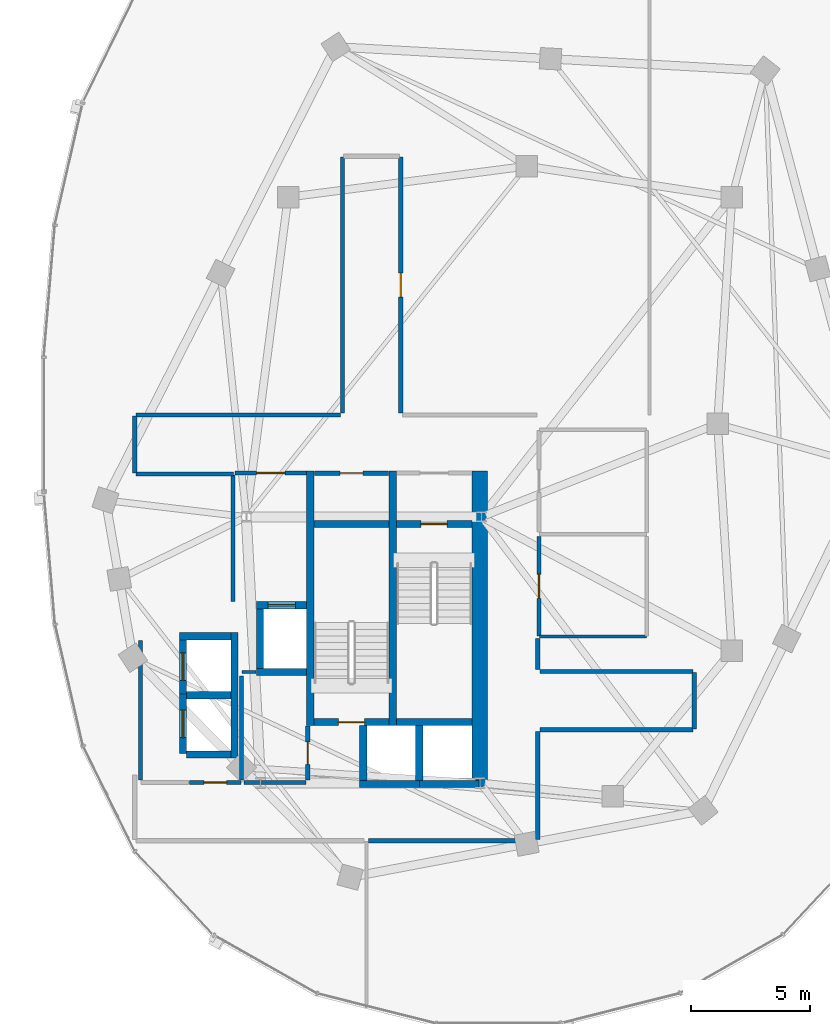
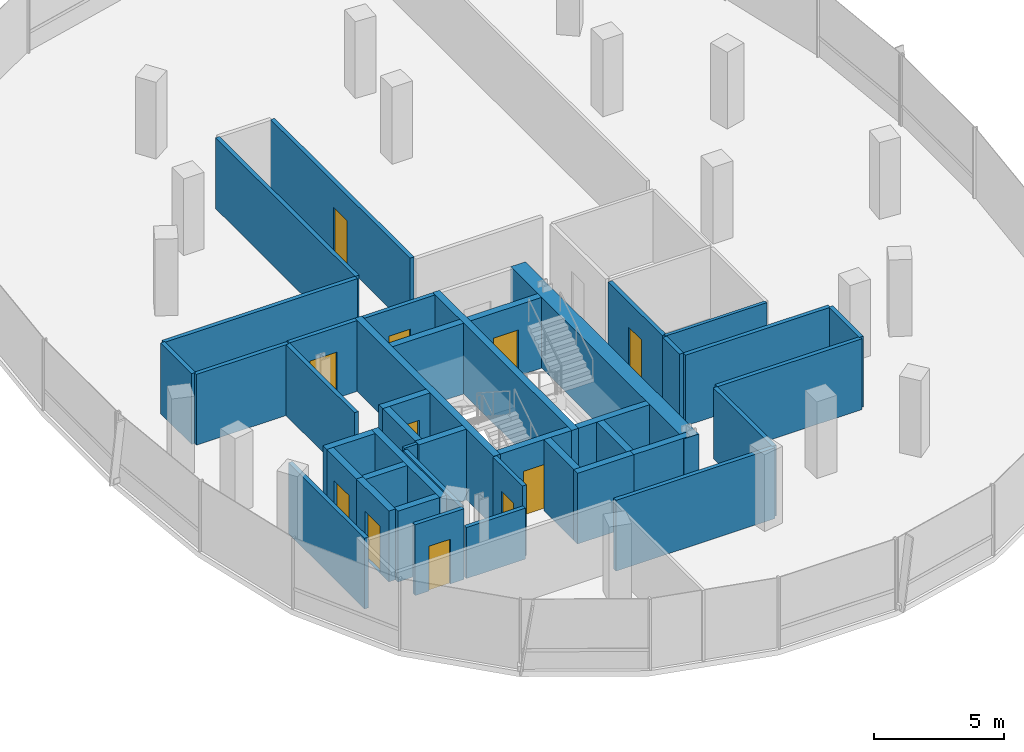
# One storey, part 16 of 24: 42 walls, 11 doors, 11 openings.
"""IFC4 building model written with IfcOpenShell, lengths in metres."""

from ifc_helpers import new_model, si_unit, direction, frame, frame_2d, origin, place, context, subcontext, project, spatial, rectangle, extrude, material, layer, layer_set, type_object, element, fill, save


model = new_model("IFC4")

# Units and contexts
model_context = context("Model", 3, precision=1e-05, world=origin(), true_north=direction((0.0, 1.0)))
body_context = subcontext(model_context, "Body", "Model", "MODEL_VIEW")
ifc_project = project(units=[si_unit("LENGTHUNIT", "METRE"), si_unit("AREAUNIT", "SQUARE_METRE"), si_unit("VOLUMEUNIT", "CUBIC_METRE"), si_unit("PLANEANGLEUNIT", "RADIAN"), si_unit("MASSUNIT", "GRAM", prefix="KILO"), si_unit("THERMODYNAMICTEMPERATUREUNIT", "KELVIN"), si_unit("POWERUNIT", "WATT")], contexts=[model_context])

# Site, building, storey
site_placement = place(None, origin())
site = spatial("IfcSite", under=ifc_project, at=site_placement, CompositionType="ELEMENT")
building_placement = place(site_placement, origin())
building = spatial("IfcBuilding", under=site, at=building_placement, Name="Cundina Bronze Exchange", CompositionType="ELEMENT")
storey_placement = place(building_placement, frame((0.0, 0.0, 231.39990234375)))
storey = spatial("IfcBuildingStorey", under=building, at=storey_placement, Name="L61", CompositionType="ELEMENT", Elevation=231.39990234375)

# Wall
ifc_material_1 = material(Name="Gypsum Fireboard Partition EI120")
ifc_layer_1 = layer(ifc_material_1, 0.179931640625, Name="Gypsum Fireboard Partition EI120")
ifc_layer_set_1 = layer_set([ifc_layer_1], Name="Gypsum Fireboard Partition EI120")
wall_type_1 = type_object("IfcWallType", Name="WL-COR-180", PredefinedType="PARTITIONING", material=ifc_layer_set_1)
wall_1_placement = place(storey_placement, frame((20.889892578125, -7.449951171875, 0.0), z_axis=(0.0, 0.0, 1.0), x_axis=(0.0, 1.0, 0.0)))
element("IfcWall", 1, at=wall_1_placement, inside=storey, type_object=wall_type_1, Name="L61 E Firefighting Lobby Side Wall", PredefinedType="PARTITIONING", context=body_context, shape_type="SweptSolid", body=[
    extrude(rectangle(XDim=5.300048828125, YDim=0.179931640625, at=frame_2d((2.64990234375, 0.0))), origin(), (0.0, 0.0, 1.0), 3.320068359375),
])

# Wall, opening, door
wall_2_placement = place(storey_placement, frame((20.97998046875, -2.06005859375, 0.0), z_axis=(0.0, 0.0, 1.0), x_axis=(1.0, 0.0, 0.0)))
wall_2 = element("IfcWall", 2, at=wall_2_placement, inside=storey, type_object=wall_type_1, Name="L61 E Firefighting Lobby Exit Wall", PredefinedType="PARTITIONING", context=body_context, shape_type="SweptSolid", body=[
    extrude(rectangle(XDim=3.0, YDim=0.179931640625, at=frame_2d((1.5, 0.0))), origin(), (0.0, 0.0, 1.0), 3.320068359375),
])
opening_1_placement = place(wall_2_placement, frame((0.89990234375, 0.0, 0.0)))
opening_1 = element("IfcOpeningElement", 3, at=opening_1_placement, cuts=wall_2, Name="Opening DF-01", PredefinedType="OPENING", context=body_context, shape_type="SweptSolid", body=[
    extrude(rectangle(XDim=1.199951171875, YDim=2.14990234375, at=frame_2d((0.60009765625, 1.074951171875))), frame((0.0, 0.099853515625, 0.0), z_axis=(0.0, -1.0, 0.0), x_axis=(1.0, 0.0, 0.0)), (0.0, 0.0, 1.0), 0.199951171875),
])
ifc_material_2 = material(Name="Steel ASTM A36 Painted", Category="steel")
door_type_1 = type_object("IfcDoorType", Name="DR-FFL-1200", OperationType="NOTDEFINED", PredefinedType="DOOR", material=ifc_material_2)
door_1_placement = place(opening_1_placement, origin())
door_1 = element("IfcDoor", 4, at=door_1_placement, inside=storey, type_object=door_type_1, Name="L61 E Firefighting Lobby Door", OperationType="SINGLE_SWING_LEFT", OverallHeight=2.14990234375, OverallWidth=1.199951171875, PredefinedType="DOOR", context=body_context, shape_type="SweptSolid", body=[
    extrude(rectangle(XDim=1.199951171875, YDim=2.14990234375, at=frame_2d((0.60009765625, 1.074951171875))), frame((0.0, 0.02490234375, 0.0), z_axis=(0.0, -1.0, 0.0), x_axis=(1.0, 0.0, 0.0)), (0.0, 0.0, 1.0), 0.050048828125),
])
fill(opening_1, door_1)

# Wall
wall_3_placement = place(storey_placement, frame((17.02001953125, -14.929931640625, 0.0), z_axis=(0.0, 0.0, 1.0), x_axis=(0.0, 1.0, 0.0)))
element("IfcWall", 5, at=wall_3_placement, inside=storey, type_object=wall_type_1, Name="L61 Interior Partition 017", PredefinedType="PARTITIONING", context=body_context, shape_type="SweptSolid", body=[
    extrude(rectangle(XDim=5.85986328125, YDim=0.179931640625, at=frame_2d((2.929931640625, 0.0))), origin(), (0.0, 0.0, 1.0), 3.320068359375),
])

# Wall, opening, door
wall_4_placement = place(storey_placement, frame((21.22998046875, -15.030029296875, 0.0), z_axis=(0.0, 0.0, 1.0), x_axis=(-1.0, 0.0, 0.0)))
wall_4 = element("IfcWall", 6, at=wall_4_placement, inside=storey, type_object=wall_type_1, Name="L61 Interior Partition 019", PredefinedType="PARTITIONING", context=body_context, shape_type="SweptSolid", body=[
    extrude(rectangle(XDim=2.159912109375, YDim=0.179931640625, at=frame_2d((1.080078125, 0.0))), origin(), (0.0, 0.0, 1.0), 3.320068359375),
])
opening_2_placement = place(wall_4_placement, frame((0.60498046875, 0.0, 0.0)))
opening_2 = element("IfcOpeningElement", 7, at=opening_2_placement, cuts=wall_4, Name="Opening DW-01", PredefinedType="OPENING", context=body_context, shape_type="SweptSolid", body=[
    extrude(rectangle(XDim=0.949951171875, YDim=2.10009765625, at=frame_2d((0.47509765625, 1.050048828125))), frame((0.0, 0.099853515625, 0.0), z_axis=(0.0, -1.0, 0.0), x_axis=(1.0, 0.0, 0.0)), (0.0, 0.0, 1.0), 0.199951171875),
])
ifc_material_3 = material(Name="Solid Andean Oak Timber Grade A", Category="wood")
door_type_2 = type_object("IfcDoorType", Name="DR-WC-950", OperationType="NOTDEFINED", PredefinedType="DOOR", material=ifc_material_3)
door_2_placement = place(opening_2_placement, origin())
door_2 = element("IfcDoor", 8, at=door_2_placement, inside=storey, type_object=door_type_2, Name="L61 Interior Door 019", OperationType="SINGLE_SWING_RIGHT", OverallHeight=2.10009765625, OverallWidth=0.949951171875, PredefinedType="DOOR", context=body_context, shape_type="SweptSolid", body=[
    extrude(rectangle(XDim=0.949951171875, YDim=2.10009765625, at=frame_2d((0.47509765625, 1.050048828125))), frame((0.0, 0.02490234375, 0.0), z_axis=(0.0, -1.0, 0.0), x_axis=(1.0, 0.0, 0.0)), (0.0, 0.0, 1.0), 0.050048828125),
])
fill(opening_2, door_2)

# Walls
wall_5_placement = place(storey_placement, frame((21.25, -14.929931640625, 0.0), z_axis=(0.0, 0.0, 1.0), x_axis=(0.0, 1.0, 0.0)))
element("IfcWall", 9, at=wall_5_placement, inside=storey, type_object=wall_type_1, Name="L61 Interior Partition 021", PredefinedType="PARTITIONING", context=body_context, shape_type="SweptSolid", body=[
    extrude(rectangle(XDim=4.35986328125, YDim=0.179931640625, at=frame_2d((2.179931640625, 0.0))), origin(), (0.0, 0.0, 1.0), 3.320068359375),
])
wall_6_placement = place(storey_placement, frame((21.35009765625, -15.030029296875, 0.0), z_axis=(0.0, 0.0, 1.0), x_axis=(1.0, 0.0, 0.0)))
element("IfcWall", 10, at=wall_6_placement, inside=storey, type_object=wall_type_1, Name="L61 Interior Partition 022", PredefinedType="PARTITIONING", context=body_context, shape_type="SweptSolid", body=[
    extrude(rectangle(XDim=2.60986328125, YDim=0.179931640625, at=frame_2d((1.304931640625, 0.0))), origin(), (0.0, 0.0, 1.0), 2.39306640625),
])

# Wall, opening, door
wall_7_placement = place(storey_placement, frame((24.300048828125, -2.070068359375, 0.0), z_axis=(0.0, 0.0, 1.0), x_axis=(1.0, 0.0, 0.0)))
wall_7 = element("IfcWall", 11, at=wall_7_placement, inside=storey, type_object=wall_type_1, Name="L61 Interior Partition 023", PredefinedType="PARTITIONING", context=body_context, shape_type="SweptSolid", body=[
    extrude(rectangle(XDim=3.119873046875, YDim=0.179931640625, at=frame_2d((1.56005859375, 0.0))), origin(), (0.0, 0.0, 1.0), 3.320068359375),
])
opening_3_placement = place(wall_7_placement, frame((1.0849609375, 0.0, 0.0)))
opening_3 = element("IfcOpeningElement", 12, at=opening_3_placement, cuts=wall_7, Name="Opening DW-01", PredefinedType="OPENING", context=body_context, shape_type="SweptSolid", body=[
    extrude(rectangle(XDim=0.949951171875, YDim=2.10009765625, at=frame_2d((0.47509765625, 1.050048828125))), frame((0.0, 0.099853515625, 0.0), z_axis=(0.0, -1.0, 0.0), x_axis=(1.0, 0.0, 0.0)), (0.0, 0.0, 1.0), 0.199951171875),
])
door_3_placement = place(opening_3_placement, origin())
door_3 = element("IfcDoor", 13, at=door_3_placement, inside=storey, type_object=door_type_2, Name="L61 Interior Door 023", OperationType="SINGLE_SWING_RIGHT", OverallHeight=2.10009765625, OverallWidth=0.949951171875, PredefinedType="DOOR", context=body_context, shape_type="SweptSolid", body=[
    extrude(rectangle(XDim=0.949951171875, YDim=2.10009765625, at=frame_2d((0.47509765625, 1.050048828125))), frame((0.0, 0.02490234375, 0.0), z_axis=(0.0, -1.0, 0.0), x_axis=(1.0, 0.0, 0.0)), (0.0, 0.0, 1.0), 0.050048828125),
])
fill(opening_3, door_3)

wall_8_placement = place(storey_placement, frame((24.02001953125, -14.929931640625, 0.0), z_axis=(0.0, 0.0, 1.0), x_axis=(0.0, 1.0, 0.0)))
wall_8 = element("IfcWall", 14, at=wall_8_placement, inside=storey, type_object=wall_type_1, Name="L61 Interior Partition 024", PredefinedType="PARTITIONING", context=body_context, shape_type="SweptSolid", body=[
    extrude(rectangle(XDim=2.260009765625, YDim=0.179931640625, at=frame_2d((1.1298828125, 0.0))), origin(), (0.0, 0.0, 1.0), 3.320068359375),
])
opening_4_placement = place(wall_8_placement, frame((0.655029296875, 0.0, 0.0)))
opening_4 = element("IfcOpeningElement", 15, at=opening_4_placement, cuts=wall_8, Name="Opening DW-01", PredefinedType="OPENING", context=body_context, shape_type="SweptSolid", body=[
    extrude(rectangle(XDim=0.949951171875, YDim=2.10009765625, at=frame_2d((0.47509765625, 1.050048828125))), frame((0.0, 0.099853515625, 0.0), z_axis=(0.0, -1.0, 0.0), x_axis=(1.0, 0.0, 0.0)), (0.0, 0.0, 1.0), 0.199951171875),
])
door_4_placement = place(opening_4_placement, origin())
door_4 = element("IfcDoor", 16, at=door_4_placement, inside=storey, type_object=door_type_2, Name="L61 Interior Door 024", OperationType="SINGLE_SWING_RIGHT", OverallHeight=2.10009765625, OverallWidth=0.949951171875, PredefinedType="DOOR", context=body_context, shape_type="SweptSolid", body=[
    extrude(rectangle(XDim=0.949951171875, YDim=2.10009765625, at=frame_2d((0.47509765625, 1.050048828125))), frame((0.0, 0.02490234375, 0.0), z_axis=(0.0, -1.0, 0.0), x_axis=(1.0, 0.0, 0.0)), (0.0, 0.0, 1.0), 0.050048828125),
])
fill(opening_4, door_4)

wall_9_placement = place(storey_placement, frame((33.719970703125, -8.889892578125, 0.0), z_axis=(0.0, 0.0, 1.0), x_axis=(0.0, 1.0, 0.0)))
wall_9 = element("IfcWall", 17, at=wall_9_placement, inside=storey, type_object=wall_type_1, Name="L61 Interior Partition 031", PredefinedType="PARTITIONING", context=body_context, shape_type="SweptSolid", body=[
    extrude(rectangle(XDim=4.159912109375, YDim=0.179931640625, at=frame_2d((2.080078125, 0.0))), origin(), (0.0, 0.0, 1.0), 3.320068359375),
])
opening_5_placement = place(wall_9_placement, frame((1.580078125, 0.0, 0.0)))
opening_5 = element("IfcOpeningElement", 18, at=opening_5_placement, cuts=wall_9, Name="Opening DO-01", PredefinedType="OPENING", context=body_context, shape_type="SweptSolid", body=[
    extrude(rectangle(XDim=1.0, YDim=2.14990234375, at=frame_2d((0.5, 1.074951171875))), frame((0.0, 0.099853515625, 0.0), z_axis=(0.0, -1.0, 0.0), x_axis=(1.0, 0.0, 0.0)), (0.0, 0.0, 1.0), 0.199951171875),
])
door_type_3 = type_object("IfcDoorType", Name="DR-OFF-1000", OperationType="NOTDEFINED", PredefinedType="DOOR", material=ifc_material_3)
door_5_placement = place(opening_5_placement, origin())
door_5 = element("IfcDoor", 19, at=door_5_placement, inside=storey, type_object=door_type_3, Name="L61 Interior Door 031", OperationType="SINGLE_SWING_RIGHT", OverallHeight=2.14990234375, OverallWidth=1.0, PredefinedType="DOOR", context=body_context, shape_type="SweptSolid", body=[
    extrude(rectangle(XDim=1.0, YDim=2.14990234375, at=frame_2d((0.5, 1.074951171875))), frame((0.0, 0.02490234375, 0.0), z_axis=(0.0, -1.0, 0.0), x_axis=(1.0, 0.0, 0.0)), (0.0, 0.0, 1.0), 0.050048828125),
])
fill(opening_5, door_5)

wall_10_placement = place(storey_placement, frame((27.919921875, 0.449951171875, 0.0), z_axis=(0.0, 0.0, 1.0), x_axis=(0.0, 1.0, 0.0)))
wall_10 = element("IfcWall", 20, at=wall_10_placement, inside=storey, type_object=wall_type_1, Name="L61 Interior Partition 034", PredefinedType="PARTITIONING", context=body_context, shape_type="SweptSolid", body=[
    extrude(rectangle(XDim=10.728515625, YDim=0.179931640625, at=frame_2d((5.3642578125, 0.0))), origin(), (0.0, 0.0, 1.0), 3.320068359375),
])
opening_6_placement = place(wall_10_placement, frame((4.8642578125, 0.0, 0.0)))
opening_6 = element("IfcOpeningElement", 21, at=opening_6_placement, cuts=wall_10, Name="Opening DO-01", PredefinedType="OPENING", context=body_context, shape_type="SweptSolid", body=[
    extrude(rectangle(XDim=1.0, YDim=2.14990234375, at=frame_2d((0.5, 1.074951171875))), frame((0.0, 0.099853515625, 0.0), z_axis=(0.0, -1.0, 0.0), x_axis=(1.0, 0.0, 0.0)), (0.0, 0.0, 1.0), 0.199951171875),
])
door_6_placement = place(opening_6_placement, origin())
door_6 = element("IfcDoor", 22, at=door_6_placement, inside=storey, type_object=door_type_3, Name="L61 Interior Door 034", OperationType="SINGLE_SWING_RIGHT", OverallHeight=2.14990234375, OverallWidth=1.0, PredefinedType="DOOR", context=body_context, shape_type="SweptSolid", body=[
    extrude(rectangle(XDim=1.0, YDim=2.14990234375, at=frame_2d((0.5, 1.074951171875))), frame((0.0, 0.02490234375, 0.0), z_axis=(0.0, -1.0, 0.0), x_axis=(1.0, 0.0, 0.0)), (0.0, 0.0, 1.0), 0.050048828125),
])
fill(opening_6, door_6)

# Walls
wall_11_placement = place(storey_placement, frame((25.47998046875, 11.178466796875, 0.0), z_axis=(0.0, 0.0, 1.0), x_axis=(0.0, -1.0, 0.0)))
element("IfcWall", 23, at=wall_11_placement, inside=storey, type_object=wall_type_1, Name="L61 Interior Partition 035", PredefinedType="PARTITIONING", context=body_context, shape_type="SweptSolid", body=[
    extrude(rectangle(XDim=10.728515625, YDim=0.179931640625, at=frame_2d((5.3642578125, 0.0))), origin(), (0.0, 0.0, 1.0), 3.320068359375),
])
wall_12_placement = place(storey_placement, frame((25.39990234375, 0.3701171875, 0.0), z_axis=(0.0, 0.0, 1.0), x_axis=(-1.0, 0.0, 0.0)))
element("IfcWall", 24, at=wall_12_placement, inside=storey, type_object=wall_type_1, Name="L61 Interior Partition 037", PredefinedType="PARTITIONING", context=body_context, shape_type="SweptSolid", body=[
    extrude(rectangle(XDim=8.578369140625, YDim=0.179931640625, at=frame_2d((4.2890625, 0.0))), origin(), (0.0, 0.0, 1.0), 3.320068359375),
])
wall_13_placement = place(storey_placement, frame((26.570068359375, -17.469970703125, 0.0), z_axis=(0.0, 0.0, 1.0), x_axis=(1.0, 0.0, 0.0)))
element("IfcWall", 25, at=wall_13_placement, inside=storey, type_object=wall_type_1, Name="L61 Interior Partition 038", PredefinedType="PARTITIONING", context=body_context, shape_type="SweptSolid", body=[
    extrude(rectangle(XDim=7.058349609375, YDim=0.179931640625, at=frame_2d((3.529296875, 0.0))), origin(), (0.0, 0.0, 1.0), 3.320068359375),
])
for number, where, z_axis, x_axis, name in (
    (26, (33.75, -12.820068359375, 0.0), (0.0, 0.0, 1.0), (1.0, 0.0, 0.0), "L61 Interior Partition 039"),
    (27, (40.178466796875, -10.3798828125, 0.0), (0.0, 0.0, 1.0), (-1.0, 0.0, 0.0), "L61 Interior Partition 040"),
):
    element("IfcWall", number, at=place(storey_placement, frame(where, z_axis=z_axis, x_axis=x_axis)), inside=storey, type_object=wall_type_1, Name=name, PredefinedType="PARTITIONING", context=body_context, shape_type="SweptSolid", body=[
        extrude(rectangle(XDim=6.428466796875, YDim=0.179931640625, at=frame_2d((3.21435546875, 0.0))), origin(), (0.0, 0.0, 1.0), 3.320068359375),
    ])
wall_14_placement = place(storey_placement, frame((33.669921875, -17.428466796875, 0.0), z_axis=(0.0, 0.0, 1.0), x_axis=(0.0, 1.0, 0.0)))
element("IfcWall", 28, at=wall_14_placement, inside=storey, type_object=wall_type_1, Name="L61 Interior Partition 042", PredefinedType="PARTITIONING", context=body_context, shape_type="SweptSolid", body=[
    extrude(rectangle(XDim=4.528564453125, YDim=0.179931640625, at=frame_2d((2.26416015625, 0.0))), origin(), (0.0, 0.0, 1.0), 3.320068359375),
])
wall_15_placement = place(storey_placement, frame((16.821533203125, -2.10009765625, 0.0), z_axis=(0.0, 0.0, 1.0), x_axis=(1.0, 0.0, 0.0)))
element("IfcWall", 29, at=wall_15_placement, inside=storey, type_object=wall_type_1, Name="L61 Interior Partition 043", PredefinedType="PARTITIONING", context=body_context, shape_type="SweptSolid", body=[
    extrude(rectangle(XDim=4.098388671875, YDim=0.179931640625, at=frame_2d((2.04931640625, 0.0))), origin(), (0.0, 0.0, 1.0), 3.320068359375),
])
wall_16_placement = place(storey_placement, frame((16.780029296875, 0.32861328125, 0.0), z_axis=(0.0, 0.0, 1.0), x_axis=(0.0, -1.0, 0.0)))
element("IfcWall", 30, at=wall_16_placement, inside=storey, type_object=wall_type_1, Name="L61 Interior Partition 045", PredefinedType="PARTITIONING", context=body_context, shape_type="SweptSolid", body=[
    extrude(rectangle(XDim=2.38720703125, YDim=0.179931640625, at=frame_2d((1.193603515625, 0.0))), origin(), (0.0, 0.0, 1.0), 3.320068359375),
])
wall_17_placement = place(storey_placement, frame((40.219970703125, -12.778564453125, 0.0), z_axis=(0.0, 0.0, 1.0), x_axis=(0.0, 1.0, 0.0)))
element("IfcWall", 31, at=wall_17_placement, inside=storey, type_object=wall_type_1, Name="L61 Interior Partition 047", PredefinedType="PARTITIONING", context=body_context, shape_type="SweptSolid", body=[
    extrude(rectangle(XDim=2.357177734375, YDim=0.179931640625, at=frame_2d((1.1787109375, 0.0))), origin(), (0.0, 0.0, 1.0), 3.320068359375),
])
wall_18_placement = place(storey_placement, frame((33.669921875, -10.300048828125, 0.0), z_axis=(0.0, 0.0, 1.0), x_axis=(0.0, 1.0, 0.0)))
element("IfcWall", 32, at=wall_18_placement, inside=storey, type_object=wall_type_1, Name="L61 Interior Partition 048", PredefinedType="PARTITIONING", context=body_context, shape_type="SweptSolid", body=[
    extrude(rectangle(XDim=1.298583984375, YDim=0.179931640625, at=frame_2d((0.6494140625, 0.0))), origin(), (0.0, 0.0, 1.0), 3.320068359375),
])
ifc_material_4 = material(Name="Concrete C50/60", Category="concrete")
ifc_layer_2 = layer(ifc_material_4, 0.64990234375, Name="Concrete C50/60", Category="concrete")
ifc_layer_set_2 = layer_set([ifc_layer_2], Name="Concrete C50/60")
wall_type_2 = type_object("IfcWallType", Name="WL-CORE-650", PredefinedType="SHEAR", material=ifc_layer_set_2)
wall_19_placement = place(storey_placement, frame((31.22509765625, -15.300048828125, 0.0), z_axis=(0.0, 0.0, 1.0), x_axis=(0.0, 1.0, 0.0)))
element("IfcWall", 33, at=wall_19_placement, inside=storey, type_object=wall_type_2, Name="L61 E Primary Core Shear Spine Wall", PredefinedType="SHEAR", context=body_context, shape_type="SweptSolid", body=[
    extrude(rectangle(XDim=13.330078125, YDim=0.64990234375, at=frame_2d((6.6650390625, 0.0))), origin(), (0.0, 0.0, 1.0), 3.320068359375),
])
ifc_layer_3 = layer(ifc_material_4, 0.300048828125, Name="Concrete C50/60", Category="concrete")
ifc_layer_set_3 = layer_set([ifc_layer_3], Name="Concrete C50/60")
wall_type_3 = type_object("IfcWallType", Name="WL-SHFT-300", PredefinedType="SHEAR", material=ifc_layer_set_3)
for number, where, z_axis, x_axis, name in (
    (34, (27.590087890625, -12.64990234375, 0.0), (0.0, 0.0, 1.0), (0.0, 1.0, 0.0), "L61 E Stair Shaft Dividing Shear Wall"),
    (35, (24.1298828125, -12.64990234375, 0.0), (0.0, 0.0, 1.0), (0.0, 1.0, 0.0), "L61 E Stair 2 East Shear Wall"),
):
    element("IfcWall", number, at=place(storey_placement, frame(where, z_axis=z_axis, x_axis=x_axis)), inside=storey, type_object=wall_type_3, Name=name, PredefinedType="SHEAR", context=body_context, shape_type="SweptSolid", body=[
        extrude(rectangle(XDim=10.679931640625, YDim=0.300048828125, at=frame_2d((5.33984375, 0.0))), origin(), (0.0, 0.0, 1.0), 3.320068359375),
    ])

# Wall, opening, door
wall_20_placement = place(storey_placement, frame((27.739990234375, -4.199951171875, 0.0), z_axis=(0.0, 0.0, 1.0), x_axis=(1.0, 0.0, 0.0)))
wall_20 = element("IfcWall", 36, at=wall_20_placement, inside=storey, type_object=wall_type_3, Name="L61 Stair E1 Landing Wall", PredefinedType="SHEAR", context=body_context, shape_type="SweptSolid", body=[
    extrude(rectangle(XDim=3.159912109375, YDim=0.300048828125, at=frame_2d((1.580078125, 0.0))), origin(), (0.0, 0.0, 1.0), 3.320068359375),
])
opening_7_placement = place(wall_20_placement, frame((1.030029296875, 0.0, 0.0)))
opening_7 = element("IfcOpeningElement", 37, at=opening_7_placement, cuts=wall_20, Name="Opening DS-01", PredefinedType="OPENING", context=body_context, shape_type="SweptSolid", body=[
    extrude(rectangle(XDim=1.10009765625, YDim=2.14990234375, at=frame_2d((0.550048828125, 1.074951171875))), frame((0.0, 0.159912109375, 0.0), z_axis=(0.0, -1.0, 0.0), x_axis=(1.0, 0.0, 0.0)), (0.0, 0.0, 1.0), 0.320068359375),
])
door_type_4 = type_object("IfcDoorType", Name="DR-STR-1100", OperationType="NOTDEFINED", PredefinedType="DOOR", material=ifc_material_2)
door_7_placement = place(opening_7_placement, origin())
door_7 = element("IfcDoor", 38, at=door_7_placement, inside=storey, type_object=door_type_4, Name="L61 Smokeproof Stair E1 Door", OperationType="SINGLE_SWING_LEFT", OverallHeight=2.14990234375, OverallWidth=1.10009765625, PredefinedType="DOOR", context=body_context, shape_type="SweptSolid", body=[
    extrude(rectangle(XDim=1.10009765625, YDim=2.14990234375, at=frame_2d((0.550048828125, 1.074951171875))), frame((0.0, 0.02490234375, 0.0), z_axis=(0.0, -1.0, 0.0), x_axis=(1.0, 0.0, 0.0)), (0.0, 0.0, 1.0), 0.050048828125),
])
fill(opening_7, door_7)

# Wall
wall_21_placement = place(storey_placement, frame((27.739990234375, -12.5, 0.0), z_axis=(0.0, 0.0, 1.0), x_axis=(1.0, 0.0, 0.0)))
element("IfcWall", 39, at=wall_21_placement, inside=storey, type_object=wall_type_3, Name="L61 Stair E1 Far Shaft Wall", PredefinedType="SHEAR", context=body_context, shape_type="SweptSolid", body=[
    extrude(rectangle(XDim=3.159912109375, YDim=0.300048828125, at=frame_2d((1.580078125, 0.0))), origin(), (0.0, 0.0, 1.0), 3.320068359375),
])

# Wall, opening, door
wall_22_placement = place(storey_placement, frame((24.280029296875, -12.5, 0.0), z_axis=(0.0, 0.0, 1.0), x_axis=(1.0, 0.0, 0.0)))
wall_22 = element("IfcWall", 40, at=wall_22_placement, inside=storey, type_object=wall_type_3, Name="L61 Stair E2 Landing Wall", PredefinedType="SHEAR", context=body_context, shape_type="SweptSolid", body=[
    extrude(rectangle(XDim=3.159912109375, YDim=0.300048828125, at=frame_2d((1.580078125, 0.0))), origin(), (0.0, 0.0, 1.0), 3.320068359375),
])
opening_8_placement = place(wall_22_placement, frame((1.030029296875, 0.0, 0.0)))
opening_8 = element("IfcOpeningElement", 41, at=opening_8_placement, cuts=wall_22, Name="Opening DS-01", PredefinedType="OPENING", context=body_context, shape_type="SweptSolid", body=[
    extrude(rectangle(XDim=1.10009765625, YDim=2.14990234375, at=frame_2d((0.550048828125, 1.074951171875))), frame((0.0, 0.159912109375, 0.0), z_axis=(0.0, -1.0, 0.0), x_axis=(1.0, 0.0, 0.0)), (0.0, 0.0, 1.0), 0.320068359375),
])
door_8_placement = place(opening_8_placement, origin())
door_8 = element("IfcDoor", 42, at=door_8_placement, inside=storey, type_object=door_type_4, Name="L61 Smokeproof Stair E2 Door", OperationType="SINGLE_SWING_RIGHT", OverallHeight=2.14990234375, OverallWidth=1.10009765625, PredefinedType="DOOR", context=body_context, shape_type="SweptSolid", body=[
    extrude(rectangle(XDim=1.10009765625, YDim=2.14990234375, at=frame_2d((0.550048828125, 1.074951171875))), frame((0.0, 0.02490234375, 0.0), z_axis=(0.0, -1.0, 0.0), x_axis=(1.0, 0.0, 0.0)), (0.0, 0.0, 1.0), 0.050048828125),
])
fill(opening_8, door_8)

# Wall
wall_23_placement = place(storey_placement, frame((24.280029296875, -4.199951171875, 0.0), z_axis=(0.0, 0.0, 1.0), x_axis=(1.0, 0.0, 0.0)))
element("IfcWall", 43, at=wall_23_placement, inside=storey, type_object=wall_type_3, Name="L61 Stair E2 Far Shaft Wall", PredefinedType="SHEAR", context=body_context, shape_type="SweptSolid", body=[
    extrude(rectangle(XDim=3.159912109375, YDim=0.300048828125, at=frame_2d((1.580078125, 0.0))), origin(), (0.0, 0.0, 1.0), 3.320068359375),
])

# Wall, opening, door
wall_24_placement = place(storey_placement, frame((21.8798828125, -7.60009765625, 0.0), z_axis=(0.0, 0.0, 1.0), x_axis=(1.0, 0.0, 0.0)))
wall_24 = element("IfcWall", 44, at=wall_24_placement, inside=storey, type_object=wall_type_3, Name="L61 FFL-E Hoistway Front Wall", PredefinedType="SHEAR", context=body_context, shape_type="SweptSolid", body=[
    extrude(rectangle(XDim=2.10009765625, YDim=0.300048828125, at=frame_2d((1.050048828125, 0.0))), origin(), (0.0, 0.0, 1.0), 3.320068359375),
])
opening_9_placement = place(wall_24_placement, frame((0.47509765625, 0.0, 0.0)))
opening_9 = element("IfcOpeningElement", 45, at=opening_9_placement, cuts=wall_24, Name="Opening LD-01", PredefinedType="OPENING", context=body_context, shape_type="SweptSolid", body=[
    extrude(rectangle(XDim=1.14990234375, YDim=2.199951171875, at=frame_2d((0.574951171875, 1.10009765625))), frame((0.0, 0.159912109375, 0.0), z_axis=(0.0, -1.0, 0.0), x_axis=(1.0, 0.0, 0.0)), (0.0, 0.0, 1.0), 0.320068359375),
])
door_type_5 = type_object("IfcDoorType", Name="DR-LND-1150", OperationType="NOTDEFINED", PredefinedType="TRAPDOOR", material=ifc_material_2)
door_9_placement = place(opening_9_placement, origin())
door_9 = element("IfcDoor", 46, at=door_9_placement, inside=storey, type_object=door_type_5, Name="L61 FFL-E Sliding Landing Door", OperationType="SLIDING_TO_LEFT", OverallHeight=2.199951171875, OverallWidth=1.14990234375, PredefinedType="TRAPDOOR", context=body_context, shape_type="SweptSolid", body=[
    extrude(rectangle(XDim=1.14990234375, YDim=2.199951171875, at=frame_2d((0.574951171875, 1.10009765625))), frame((0.0, 0.02490234375, 0.0), z_axis=(0.0, -1.0, 0.0), x_axis=(1.0, 0.0, 0.0)), (0.0, 0.0, 1.0), 0.050048828125),
])
fill(opening_9, door_9)

# Walls
wall_25_placement = place(storey_placement, frame((21.8798828125, -10.39990234375, 0.0), z_axis=(0.0, 0.0, 1.0), x_axis=(1.0, 0.0, 0.0)))
element("IfcWall", 47, at=wall_25_placement, inside=storey, type_object=wall_type_3, Name="L61 FFL-E Hoistway Back Wall", PredefinedType="SHEAR", context=body_context, shape_type="SweptSolid", body=[
    extrude(rectangle(XDim=2.10009765625, YDim=0.300048828125, at=frame_2d((1.050048828125, 0.0))), origin(), (0.0, 0.0, 1.0), 3.320068359375),
])
for number, where, z_axis, x_axis, name in (
    (48, (22.030029296875, -10.25, 0.0), (0.0, 0.0, 1.0), (0.0, 1.0, 0.0), "L61 FFL-E Hoistway Side Wall"),
    (49, (28.699951171875, -15.10009765625, 0.0), (0.0, 0.0, 1.0), (1.0, 0.0, 0.0), "L61 PH-E1 Hoistway Front Wall"),
):
    element("IfcWall", number, at=place(storey_placement, frame(where, z_axis=z_axis, x_axis=x_axis)), inside=storey, type_object=wall_type_3, Name=name, PredefinedType="SHEAR", context=body_context, shape_type="SweptSolid", body=[
        extrude(rectangle(XDim=2.5, YDim=0.300048828125, at=frame_2d((1.25, 0.0))), origin(), (0.0, 0.0, 1.0), 3.320068359375),
    ])
wall_26_placement = place(storey_placement, frame((28.699951171875, -14.949951171875, 0.0), z_axis=(0.0, 0.0, 1.0), x_axis=(0.0, 1.0, 0.0)))
element("IfcWall", 50, at=wall_26_placement, inside=storey, type_object=wall_type_3, Name="L61 PH-E1 Hoistway Divider Wall", PredefinedType="SHEAR", context=body_context, shape_type="SweptSolid", body=[
    extrude(rectangle(XDim=2.300048828125, YDim=0.300048828125, at=frame_2d((1.14990234375, 0.0))), origin(), (0.0, 0.0, 1.0), 3.320068359375),
])
wall_27_placement = place(storey_placement, frame((26.199951171875, -15.10009765625, 0.0), z_axis=(0.0, 0.0, 1.0), x_axis=(1.0, 0.0, 0.0)))
element("IfcWall", 51, at=wall_27_placement, inside=storey, type_object=wall_type_3, Name="L61 PH-E2 Hoistway Front Wall", PredefinedType="SHEAR", context=body_context, shape_type="SweptSolid", body=[
    extrude(rectangle(XDim=2.5, YDim=0.300048828125, at=frame_2d((1.25, 0.0))), origin(), (0.0, 0.0, 1.0), 3.320068359375),
])
wall_28_placement = place(storey_placement, frame((26.35009765625, -14.949951171875, 0.0), z_axis=(0.0, 0.0, 1.0), x_axis=(0.0, 1.0, 0.0)))
element("IfcWall", 52, at=wall_28_placement, inside=storey, type_object=wall_type_3, Name="L61 PH-E2 Hoistway Divider Wall", PredefinedType="SHEAR", context=body_context, shape_type="SweptSolid", body=[
    extrude(rectangle(XDim=2.300048828125, YDim=0.300048828125, at=frame_2d((1.14990234375, 0.0))), origin(), (0.0, 0.0, 1.0), 3.320068359375),
])
wall_29_placement = place(storey_placement, frame((20.949951171875, -14.0, 0.0), z_axis=(0.0, 0.0, 1.0), x_axis=(0.0, 1.0, 0.0)))
element("IfcWall", 53, at=wall_29_placement, inside=storey, type_object=wall_type_3, Name="L61 E Passenger Bank Hoistway Back Wall", PredefinedType="SHEAR", context=body_context, shape_type="SweptSolid", body=[
    extrude(rectangle(XDim=5.25, YDim=0.300048828125, at=frame_2d((2.625, 0.0))), origin(), (0.0, 0.0, 1.0), 3.320068359375),
])
wall_30_placement = place(storey_placement, frame((18.949951171875, -13.85009765625, 0.0), z_axis=(0.0, 0.0, 1.0), x_axis=(1.0, 0.0, 0.0)))
element("IfcWall", 54, at=wall_30_placement, inside=storey, type_object=wall_type_3, Name="L61 E Passenger Bank South Cap Wall", PredefinedType="SHEAR", context=body_context, shape_type="SweptSolid", body=[
    extrude(rectangle(XDim=1.85009765625, YDim=0.300048828125, at=frame_2d((0.925048828125, 0.0))), origin(), (0.0, 0.0, 1.0), 3.320068359375),
])
wall_31_placement = place(storey_placement, frame((18.64990234375, -8.89990234375, 0.0), z_axis=(0.0, 0.0, 1.0), x_axis=(1.0, 0.0, 0.0)))
element("IfcWall", 55, at=wall_31_placement, inside=storey, type_object=wall_type_3, Name="L61 E Passenger Bank North Cap Wall", PredefinedType="SHEAR", context=body_context, shape_type="SweptSolid", body=[
    extrude(rectangle(XDim=2.150146484375, YDim=0.300048828125, at=frame_2d((1.0751953125, 0.0))), origin(), (0.0, 0.0, 1.0), 3.320068359375),
])
wall_32_placement = place(storey_placement, frame((18.949951171875, -11.375, 0.0), z_axis=(0.0, 0.0, 1.0), x_axis=(1.0, 0.0, 0.0)))
element("IfcWall", 56, at=wall_32_placement, inside=storey, type_object=wall_type_3, Name="L61 E Passenger Hoistway Divider 1", PredefinedType="SHEAR", context=body_context, shape_type="SweptSolid", body=[
    extrude(rectangle(XDim=1.85009765625, YDim=0.300048828125, at=frame_2d((0.925048828125, 0.0))), origin(), (0.0, 0.0, 1.0), 3.320068359375),
])

# Wall, opening, door
wall_33_placement = place(storey_placement, frame((18.800048828125, -13.820068359375, 0.0), z_axis=(0.0, 0.0, 1.0), x_axis=(0.0, 1.0, 0.0)))
wall_33 = element("IfcWall", 57, at=wall_33_placement, inside=storey, type_object=wall_type_3, Name="L61 PM-E1 Hoistway Front Wall", PredefinedType="SHEAR", context=body_context, shape_type="SweptSolid", body=[
    extrude(rectangle(XDim=2.489990234375, YDim=0.300048828125, at=frame_2d((1.2451171875, 0.0))), origin(), (0.0, 0.0, 1.0), 3.320068359375),
])
opening_10_placement = place(wall_33_placement, frame((0.669921875, 0.0, 0.0)))
opening_10 = element("IfcOpeningElement", 58, at=opening_10_placement, cuts=wall_33, Name="Opening LD-01", PredefinedType="OPENING", context=body_context, shape_type="SweptSolid", body=[
    extrude(rectangle(XDim=1.14990234375, YDim=2.199951171875, at=frame_2d((0.574951171875, 1.10009765625))), frame((0.0, 0.159912109375, 0.0), z_axis=(0.0, -1.0, 0.0), x_axis=(1.0, 0.0, 0.0)), (0.0, 0.0, 1.0), 0.320068359375),
])
door_10_placement = place(opening_10_placement, origin())
door_10 = element("IfcDoor", 59, at=door_10_placement, inside=storey, type_object=door_type_5, Name="L61 PM-E1 Sliding Landing Door", OperationType="SLIDING_TO_LEFT", OverallHeight=2.199951171875, OverallWidth=1.14990234375, PredefinedType="TRAPDOOR", context=body_context, shape_type="SweptSolid", body=[
    extrude(rectangle(XDim=1.14990234375, YDim=2.199951171875, at=frame_2d((0.574951171875, 1.10009765625))), frame((0.0, 0.02490234375, 0.0), z_axis=(0.0, -1.0, 0.0), x_axis=(1.0, 0.0, 0.0)), (0.0, 0.0, 1.0), 0.050048828125),
])
fill(opening_10, door_10)

wall_34_placement = place(storey_placement, frame((18.800048828125, -11.419921875, 0.0), z_axis=(0.0, 0.0, 1.0), x_axis=(0.0, 1.0, 0.0)))
wall_34 = element("IfcWall", 60, at=wall_34_placement, inside=storey, type_object=wall_type_3, Name="L61 PM-E2 Hoistway Front Wall", PredefinedType="SHEAR", context=body_context, shape_type="SweptSolid", body=[
    extrude(rectangle(XDim=2.489990234375, YDim=0.300048828125, at=frame_2d((1.2451171875, 0.0))), origin(), (0.0, 0.0, 1.0), 3.320068359375),
])
opening_11_placement = place(wall_34_placement, frame((0.669921875, 0.0, 0.0)))
opening_11 = element("IfcOpeningElement", 61, at=opening_11_placement, cuts=wall_34, Name="Opening LD-01", PredefinedType="OPENING", context=body_context, shape_type="SweptSolid", body=[
    extrude(rectangle(XDim=1.14990234375, YDim=2.199951171875, at=frame_2d((0.574951171875, 1.10009765625))), frame((0.0, 0.159912109375, 0.0), z_axis=(0.0, -1.0, 0.0), x_axis=(1.0, 0.0, 0.0)), (0.0, 0.0, 1.0), 0.320068359375),
])
door_11_placement = place(opening_11_placement, origin())
door_11 = element("IfcDoor", 62, at=door_11_placement, inside=storey, type_object=door_type_5, Name="L61 PM-E2 Sliding Landing Door", OperationType="SLIDING_TO_LEFT", OverallHeight=2.199951171875, OverallWidth=1.14990234375, PredefinedType="TRAPDOOR", context=body_context, shape_type="SweptSolid", body=[
    extrude(rectangle(XDim=1.14990234375, YDim=2.199951171875, at=frame_2d((0.574951171875, 1.10009765625))), frame((0.0, 0.02490234375, 0.0), z_axis=(0.0, -1.0, 0.0), x_axis=(1.0, 0.0, 0.0)), (0.0, 0.0, 1.0), 0.050048828125),
])
fill(opening_11, door_11)

# Walls
ifc_material_5 = material(Name="Moisture-Resistant Masonry Block Grade M15", Category="masonry")
ifc_layer_4 = layer(ifc_material_5, 0.139892578125, Name="Moisture-Resistant Masonry Block Grade M15", Category="masonry")
ifc_layer_set_4 = layer_set([ifc_layer_4], Name="Moisture-Resistant Masonry Block Grade M15")
wall_type_4 = type_object("IfcWallType", Name="WL-WET-140", PredefinedType="PARTITIONING", material=ifc_layer_set_4)
wall_35_placement = place(storey_placement, frame((21.27001953125, -10.39990234375, 0.0), z_axis=(0.0, 0.0, 1.0), x_axis=(1.0, 0.0, 0.0)))
element("IfcWall", 63, at=wall_35_placement, inside=storey, type_object=wall_type_4, Name="L61 Interior Partition 020", PredefinedType="PARTITIONING", context=body_context, shape_type="SweptSolid", body=[
    extrude(rectangle(XDim=0.590087890625, YDim=0.139892578125, at=frame_2d((0.294921875, 0.0))), origin(), (0.0, 0.0, 1.0), 3.320068359375),
])
wall_36_placement = place(storey_placement, frame((33.739990234375, -8.909912109375, 0.0), z_axis=(0.0, 0.0, 1.0), x_axis=(1.0, 0.0, 0.0)))
element("IfcWall", 64, at=wall_36_placement, inside=storey, type_object=wall_type_4, Name="L61 Interior Partition 029", PredefinedType="PARTITIONING", context=body_context, shape_type="SweptSolid", body=[
    extrude(rectangle(XDim=4.47998046875, YDim=0.139892578125, at=frame_2d((2.239990234375, 0.0))), origin(), (0.0, 0.0, 1.0), 3.320068359375),
])

save(model, "model.ifc")
